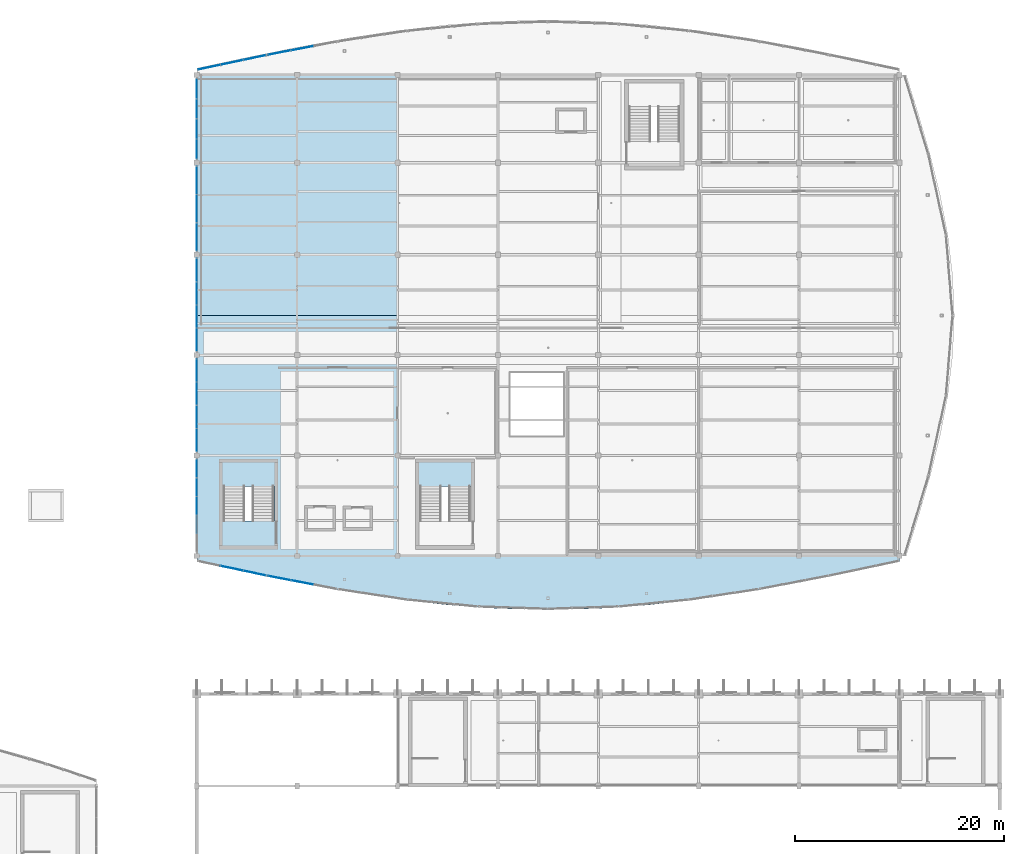
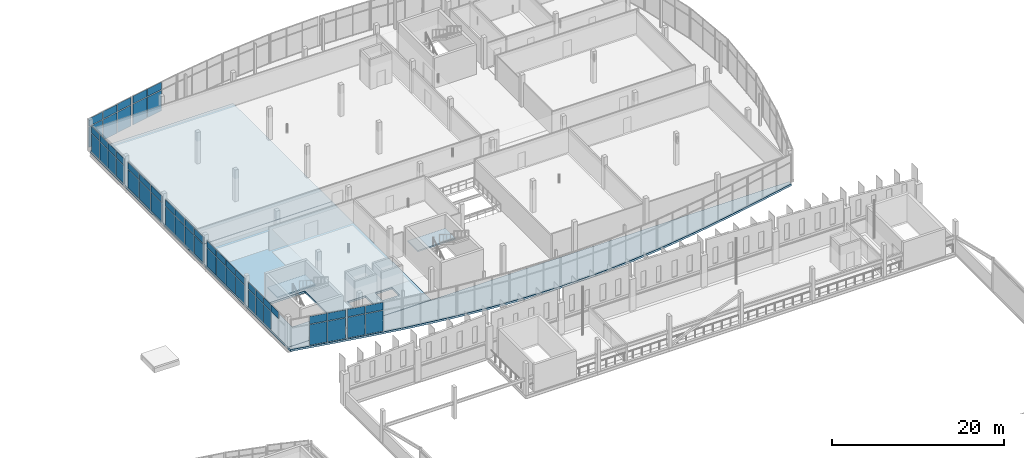
# One storey, part 85 of 114: 55 plates, 5 slabs, 11 elements without a shape of their own.
"""IFC4 building model written with IfcOpenShell, lengths in metres."""

from ifc_helpers import new_model, si_unit, direction, frame, origin, origin_2d, place, context, subcontext, project, spatial, polyline, rectangle, outline, extrude, material, layer, layer_set, type_object, element, aggregate, save


model = new_model("IFC4")

# Units and contexts
model_context = context("Model", 3, precision=1e-05, world=origin(), true_north=direction((0.0, 1.0)))
body_context = subcontext(model_context, "Body", "Model", "MODEL_VIEW")
ifc_project = project(units=[si_unit("LENGTHUNIT", "METRE"), si_unit("AREAUNIT", "SQUARE_METRE"), si_unit("VOLUMEUNIT", "CUBIC_METRE"), si_unit("PLANEANGLEUNIT", "RADIAN"), si_unit("MASSUNIT", "GRAM", prefix="KILO")], contexts=[model_context])

# Site, building, storey
site_placement = place(None, origin())
site = spatial("IfcSite", under=ifc_project, at=site_placement, CompositionType="ELEMENT")
building_placement = place(site_placement, origin())
building = spatial("IfcBuilding", under=site, at=building_placement, Name="Chalmorin Arch Market", CompositionType="ELEMENT")
storey_placement = place(building_placement, frame((0.0, 0.0, 9.60009765625)))
storey = spatial("IfcBuildingStorey", under=building, at=storey_placement, Name="L02", CompositionType="ELEMENT", Elevation=9.60009765625)

# Curtain wall, plates
ifc_material_1 = material(Name="Aluminium 6063-T6", Category="aluminium")
ifc_layer_1 = layer(ifc_material_1, 0.159912109375)
ifc_layer_set_1 = layer_set([ifc_layer_1], Name="Aluminium 6063-T6")
curtain_wall_type_1 = type_object("IfcCurtainWallType", Name="CulinaryStudioCurtainWall-CW3-8880x3750", PredefinedType="NOTDEFINED", material=ifc_layer_set_1)
curtain_wall_1_placement = place(storey_placement, origin())
curtain_wall_1 = element("IfcCurtainWall", 1, at=curtain_wall_1_placement, inside=storey, type_object=curtain_wall_type_1, Name="CW-03-108", PredefinedType="NOTDEFINED")
ifc_material_2 = material(Name="Powder-coated Aluminium Panel", Category="aluminium")
ifc_layer_2 = layer(ifc_material_2, 0.0400390625)
ifc_layer_set_2 = layer_set([ifc_layer_2], Name="Powder-coated Aluminium Panel")
plate_type_1 = type_object("IfcPlateType", Name="ShadowboxSpandrelPanel-40", PredefinedType="CURTAIN_PANEL", material=ifc_layer_set_2)
plate_1_placement = place(storey_placement, frame((48.0, 75.02392578125, 2.7421875), z_axis=(0.0, 0.0, 1.0), x_axis=(0.0, 1.0, 0.0)))
plate_1 = element("IfcPlate", 2, at=plate_1_placement, type_object=plate_type_1, Name="SP-40-108-02B", PredefinedType="CURTAIN_PANEL", context=body_context, shape_type="SweptSolid", body=[
    extrude(rectangle(XDim=1.696044921875, YDim=0.0400390625, at=origin_2d()), origin(), (0.0, 0.0, 1.0), 0.933837890625),
])
plate_2_placement = place(storey_placement, frame((48.0, 76.800048828125, 2.7421875), z_axis=(0.0, 0.0, 1.0), x_axis=(0.0, 1.0, 0.0)))
plate_2 = element("IfcPlate", 3, at=plate_2_placement, type_object=plate_type_1, Name="SP-40-108-03B", PredefinedType="CURTAIN_PANEL", context=body_context, shape_type="SweptSolid", body=[
    extrude(rectangle(XDim=1.696044921875, YDim=0.0400390625, at=origin_2d()), origin(), (0.0, 0.0, 1.0), 0.933837890625),
])
plate_3_placement = place(storey_placement, frame((48.0, 78.575927734375, 2.7421875), z_axis=(0.0, 0.0, 1.0), x_axis=(0.0, 1.0, 0.0)))
plate_3 = element("IfcPlate", 4, at=plate_3_placement, type_object=plate_type_1, Name="SP-40-108-04B", PredefinedType="CURTAIN_PANEL", context=body_context, shape_type="SweptSolid", body=[
    extrude(rectangle(XDim=1.696044921875, YDim=0.0400390625, at=origin_2d()), origin(), (0.0, 0.0, 1.0), 0.933837890625),
])
plate_4_placement = place(storey_placement, frame((48.0, 80.35205078125, 2.7421875), z_axis=(0.0, 0.0, 1.0), x_axis=(0.0, 1.0, 0.0)))
plate_4 = element("IfcPlate", 5, at=plate_4_placement, type_object=plate_type_1, Name="SP-40-108-05B", PredefinedType="CURTAIN_PANEL", context=body_context, shape_type="SweptSolid", body=[
    extrude(rectangle(XDim=1.696044921875, YDim=0.0400390625, at=origin_2d()), origin(), (0.0, 0.0, 1.0), 0.933837890625),
])

ifc_layer_3 = layer(ifc_material_1, 0.159912109375)
ifc_layer_set_3 = layer_set([ifc_layer_3], Name="Aluminium 6063-T6")
curtain_wall_type_2 = type_object("IfcCurtainWallType", Name="CulinaryStudioCurtainWall-CW3-8880x3790", PredefinedType="NOTDEFINED", material=ifc_layer_set_3)
curtain_wall_2_placement = place(storey_placement, origin())
curtain_wall_2 = element("IfcCurtainWall", 6, at=curtain_wall_2_placement, inside=storey, type_object=curtain_wall_type_2, Name="CW-03-111", PredefinedType="NOTDEFINED")
plate_5_placement = place(storey_placement, frame((48.0, 83.070068359375, 2.77099609375), z_axis=(0.0, 0.0, 1.0), x_axis=(0.0, 1.0, 0.0)))
plate_5 = element("IfcPlate", 7, at=plate_5_placement, type_object=plate_type_1, Name="SP-40-111-01B", PredefinedType="CURTAIN_PANEL", context=body_context, shape_type="SweptSolid", body=[
    extrude(rectangle(XDim=2.139892578125, YDim=0.0400390625, at=origin_2d()), origin(), (0.0, 0.0, 1.0), 0.945068359375),
])
plate_6_placement = place(storey_placement, frame((48.0, 85.2900390625, 2.77099609375), z_axis=(0.0, 0.0, 1.0), x_axis=(0.0, 1.0, 0.0)))
plate_6 = element("IfcPlate", 8, at=plate_6_placement, type_object=plate_type_1, Name="SP-40-111-02B", PredefinedType="CURTAIN_PANEL", context=body_context, shape_type="SweptSolid", body=[
    extrude(rectangle(XDim=2.139892578125, YDim=0.0400390625, at=origin_2d()), origin(), (0.0, 0.0, 1.0), 0.945068359375),
])
plate_7_placement = place(storey_placement, frame((48.0, 87.510009765625, 2.77099609375), z_axis=(0.0, 0.0, 1.0), x_axis=(0.0, 1.0, 0.0)))
plate_7 = element("IfcPlate", 9, at=plate_7_placement, type_object=plate_type_1, Name="SP-40-111-03B", PredefinedType="CURTAIN_PANEL", context=body_context, shape_type="SweptSolid", body=[
    extrude(rectangle(XDim=2.139892578125, YDim=0.0400390625, at=origin_2d()), origin(), (0.0, 0.0, 1.0), 0.945068359375),
])
plate_8_placement = place(storey_placement, frame((48.0, 89.72998046875, 2.77099609375), z_axis=(0.0, 0.0, 1.0), x_axis=(0.0, 1.0, 0.0)))
plate_8 = element("IfcPlate", 10, at=plate_8_placement, type_object=plate_type_1, Name="SP-40-111-04B", PredefinedType="CURTAIN_PANEL", context=body_context, shape_type="SweptSolid", body=[
    extrude(rectangle(XDim=2.139892578125, YDim=0.0400390625, at=origin_2d()), origin(), (0.0, 0.0, 1.0), 0.945068359375),
])

curtain_wall_3_placement = place(storey_placement, origin())
curtain_wall_3 = element("IfcCurtainWall", 11, at=curtain_wall_3_placement, inside=storey, type_object=curtain_wall_type_2, Name="CW-03-113", PredefinedType="NOTDEFINED")
plate_9_placement = place(storey_placement, frame((48.0, 92.669921875, 2.77099609375), z_axis=(0.0, 0.0, 1.0), x_axis=(0.0, 1.0, 0.0)))
plate_9 = element("IfcPlate", 12, at=plate_9_placement, type_object=plate_type_1, Name="SP-40-113-01B", PredefinedType="CURTAIN_PANEL", context=body_context, shape_type="SweptSolid", body=[
    extrude(rectangle(XDim=2.139892578125, YDim=0.0400390625, at=origin_2d()), origin(), (0.0, 0.0, 1.0), 0.945068359375),
])
plate_10_placement = place(storey_placement, frame((48.0, 94.889892578125, 2.77099609375), z_axis=(0.0, 0.0, 1.0), x_axis=(0.0, 1.0, 0.0)))
plate_10 = element("IfcPlate", 13, at=plate_10_placement, type_object=plate_type_1, Name="SP-40-113-02B", PredefinedType="CURTAIN_PANEL", context=body_context, shape_type="SweptSolid", body=[
    extrude(rectangle(XDim=2.139892578125, YDim=0.0400390625, at=origin_2d()), origin(), (0.0, 0.0, 1.0), 0.945068359375),
])
plate_11_placement = place(storey_placement, frame((48.0, 97.110107421875, 2.77099609375), z_axis=(0.0, 0.0, 1.0), x_axis=(0.0, 1.0, 0.0)))
plate_11 = element("IfcPlate", 14, at=plate_11_placement, type_object=plate_type_1, Name="SP-40-113-03B", PredefinedType="CURTAIN_PANEL", context=body_context, shape_type="SweptSolid", body=[
    extrude(rectangle(XDim=2.139892578125, YDim=0.0400390625, at=origin_2d()), origin(), (0.0, 0.0, 1.0), 0.945068359375),
])
plate_12_placement = place(storey_placement, frame((48.0, 99.330078125, 2.77099609375), z_axis=(0.0, 0.0, 1.0), x_axis=(0.0, 1.0, 0.0)))
plate_12 = element("IfcPlate", 15, at=plate_12_placement, type_object=plate_type_1, Name="SP-40-113-04B", PredefinedType="CURTAIN_PANEL", context=body_context, shape_type="SweptSolid", body=[
    extrude(rectangle(XDim=2.139892578125, YDim=0.0400390625, at=origin_2d()), origin(), (0.0, 0.0, 1.0), 0.945068359375),
])

ifc_layer_4 = layer(ifc_material_1, 0.159912109375)
ifc_layer_set_4 = layer_set([ifc_layer_4], Name="Aluminium 6063-T6")
curtain_wall_type_3 = type_object("IfcCurtainWallType", Name="CulinaryStudioCurtainWall-CW3-8080x3790", PredefinedType="NOTDEFINED", material=ifc_layer_set_4)
curtain_wall_4_placement = place(storey_placement, origin())
curtain_wall_4 = element("IfcCurtainWall", 16, at=curtain_wall_4_placement, inside=storey, type_object=curtain_wall_type_3, Name="CW-03-116", PredefinedType="NOTDEFINED")
plate_13_placement = place(storey_placement, frame((48.0, 102.506591796875, 2.77099609375), z_axis=(0.0, 0.0, 1.0), x_axis=(0.0, 1.0, 0.0)))
plate_13 = element("IfcPlate", 17, at=plate_13_placement, type_object=plate_type_1, Name="SP-40-116-01B", PredefinedType="CURTAIN_PANEL", context=body_context, shape_type="SweptSolid", body=[
    extrude(rectangle(XDim=2.61328125, YDim=0.0400390625, at=origin_2d()), origin(), (0.0, 0.0, 1.0), 0.945068359375),
])
plate_14_placement = place(storey_placement, frame((48.0, 105.199951171875, 2.77099609375), z_axis=(0.0, 0.0, 1.0), x_axis=(0.0, 1.0, 0.0)))
plate_14 = element("IfcPlate", 18, at=plate_14_placement, type_object=plate_type_1, Name="SP-40-116-02B", PredefinedType="CURTAIN_PANEL", context=body_context, shape_type="SweptSolid", body=[
    extrude(rectangle(XDim=2.61328125, YDim=0.0400390625, at=origin_2d()), origin(), (0.0, 0.0, 1.0), 0.945068359375),
])
plate_15_placement = place(storey_placement, frame((48.0, 107.893310546875, 2.77099609375), z_axis=(0.0, 0.0, 1.0), x_axis=(0.0, 1.0, 0.0)))
plate_15 = element("IfcPlate", 19, at=plate_15_placement, type_object=plate_type_1, Name="SP-40-116-03B", PredefinedType="CURTAIN_PANEL", context=body_context, shape_type="SweptSolid", body=[
    extrude(rectangle(XDim=2.61328125, YDim=0.0400390625, at=origin_2d()), origin(), (0.0, 0.0, 1.0), 0.945068359375),
])

ifc_layer_5 = layer(ifc_material_1, 0.159912109375)
ifc_layer_set_5 = layer_set([ifc_layer_5], Name="Aluminium 6063-T6")
curtain_wall_type_4 = type_object("IfcCurtainWallType", Name="CulinaryStudioCurtainWall-CW3-7680x3750", PredefinedType="NOTDEFINED", material=ifc_layer_set_5)
curtain_wall_5_placement = place(storey_placement, origin())
curtain_wall_5 = element("IfcCurtainWall", 20, at=curtain_wall_5_placement, inside=storey, type_object=curtain_wall_type_4, Name="CW-03-119", PredefinedType="NOTDEFINED")
plate_16_placement = place(storey_placement, frame((48.0, 110.919921875, 2.7421875), z_axis=(0.0, 0.0, 1.0), x_axis=(0.0, 1.0, 0.0)))
plate_16 = element("IfcPlate", 21, at=plate_16_placement, type_object=plate_type_1, Name="SP-40-119-01B", PredefinedType="CURTAIN_PANEL", context=body_context, shape_type="SweptSolid", body=[
    extrude(rectangle(XDim=1.840087890625, YDim=0.0400390625, at=origin_2d()), origin(), (0.0, 0.0, 1.0), 0.933837890625),
])
plate_17_placement = place(storey_placement, frame((48.0, 112.840087890625, 2.7421875), z_axis=(0.0, 0.0, 1.0), x_axis=(0.0, 1.0, 0.0)))
plate_17 = element("IfcPlate", 22, at=plate_17_placement, type_object=plate_type_1, Name="SP-40-119-02B", PredefinedType="CURTAIN_PANEL", context=body_context, shape_type="SweptSolid", body=[
    extrude(rectangle(XDim=1.840087890625, YDim=0.0400390625, at=origin_2d()), origin(), (0.0, 0.0, 1.0), 0.933837890625),
])
plate_18_placement = place(storey_placement, frame((48.0, 114.760009765625, 2.7421875), z_axis=(0.0, 0.0, 1.0), x_axis=(0.0, 1.0, 0.0)))
plate_18 = element("IfcPlate", 23, at=plate_18_placement, type_object=plate_type_1, Name="SP-40-119-03B", PredefinedType="CURTAIN_PANEL", context=body_context, shape_type="SweptSolid", body=[
    extrude(rectangle(XDim=1.840087890625, YDim=0.0400390625, at=origin_2d()), origin(), (0.0, 0.0, 1.0), 0.933837890625),
])
plate_19_placement = place(storey_placement, frame((48.0, 116.679931640625, 2.7421875), z_axis=(0.0, 0.0, 1.0), x_axis=(0.0, 1.0, 0.0)))
plate_19 = element("IfcPlate", 24, at=plate_19_placement, type_object=plate_type_1, Name="SP-40-119-04B", PredefinedType="CURTAIN_PANEL", context=body_context, shape_type="SweptSolid", body=[
    extrude(rectangle(XDim=1.840087890625, YDim=0.0400390625, at=origin_2d()), origin(), (0.0, 0.0, 1.0), 0.933837890625),
])

ifc_layer_6 = layer(ifc_material_1, 0.159912109375)
ifc_layer_set_6 = layer_set([ifc_layer_6], Name="Aluminium 6063-T6")
curtain_wall_type_5 = type_object("IfcCurtainWallType", Name="CulinaryStudioCurtainWall-CW3-6690x4220", PredefinedType="NOTDEFINED", material=ifc_layer_set_6)
curtain_wall_6_placement = place(storey_placement, origin())
curtain_wall_6 = element("IfcCurtainWall", 25, at=curtain_wall_6_placement, inside=storey, type_object=curtain_wall_type_5, Name="CW-03-122", PredefinedType="NOTDEFINED")
plate_20_placement = place(storey_placement, frame((49.1787109375, 118.729248046875, 3.08349609375), z_axis=(0.0, 0.0, 1.0), x_axis=(0.978147600734, 0.207911690818, 0.0)))
plate_20 = element("IfcPlate", 26, at=plate_20_placement, type_object=plate_type_1, Name="SP-40-122-01B", PredefinedType="CURTAIN_PANEL", context=body_context, shape_type="SweptSolid", body=[
    extrude(rectangle(XDim=2.1494140625, YDim=0.0400390625, at=origin_2d()), origin(), (0.0, 0.0, 1.0), 1.066650390625),
])
plate_21_placement = place(storey_placement, frame((51.360107421875, 119.1904296875, 3.08349609375), z_axis=(0.0, 0.0, 1.0), x_axis=(0.978147600734, 0.207911690818, 0.0)))
plate_21 = element("IfcPlate", 27, at=plate_21_placement, type_object=plate_type_1, Name="SP-40-122-02B", PredefinedType="CURTAIN_PANEL", context=body_context, shape_type="SweptSolid", body=[
    extrude(rectangle(XDim=2.1494140625, YDim=0.0400390625, at=origin_2d()), origin(), (0.0, 0.0, 1.0), 1.066650390625),
])
plate_22_placement = place(storey_placement, frame((53.541259765625, 119.65185546875, 3.08349609375), z_axis=(0.0, 0.0, 1.0), x_axis=(0.978147600734, 0.207911690818, 0.0)))
plate_22 = element("IfcPlate", 28, at=plate_22_placement, type_object=plate_type_1, Name="SP-40-122-03B", PredefinedType="CURTAIN_PANEL", context=body_context, shape_type="SweptSolid", body=[
    extrude(rectangle(XDim=2.1494140625, YDim=0.0400390625, at=origin_2d()), origin(), (0.0, 0.0, 1.0), 1.066650390625),
])

ifc_layer_7 = layer(ifc_material_1, 0.159912109375)
ifc_layer_set_7 = layer_set([ifc_layer_7], Name="Aluminium 6063-T6")
curtain_wall_type_6 = type_object("IfcCurtainWallType", Name="CulinaryStudioCurtainWall-CW3-6660x4220", PredefinedType="NOTDEFINED", material=ifc_layer_set_7)
curtain_wall_7_placement = place(storey_placement, origin())
curtain_wall_7 = element("IfcCurtainWall", 29, at=curtain_wall_7_placement, inside=storey, type_object=curtain_wall_type_6, Name="CW-03-125", PredefinedType="NOTDEFINED")
plate_23_placement = place(storey_placement, frame((55.89892578125, 120.126220703125, 3.08349609375), z_axis=(0.0, 0.0, 1.0), x_axis=(0.981627183448, 0.190808995377, 0.0)))
plate_23 = element("IfcPlate", 30, at=plate_23_placement, type_object=plate_type_1, Name="SP-40-125-01B", PredefinedType="CURTAIN_PANEL", context=body_context, shape_type="SweptSolid", body=[
    extrude(rectangle(XDim=2.140380859375, YDim=0.0400390625, at=origin_2d()), origin(), (0.0, 0.0, 1.0), 1.066650390625),
])
plate_24_placement = place(storey_placement, frame((58.080078125, 120.54248046875, 3.08349609375), z_axis=(0.0, 0.0, 1.0), x_axis=(0.981627183448, 0.190808995377, 0.0)))
plate_24 = element("IfcPlate", 31, at=plate_24_placement, type_object=plate_type_1, Name="SP-40-125-02B", PredefinedType="CURTAIN_PANEL", context=body_context, shape_type="SweptSolid", body=[
    extrude(rectangle(XDim=2.140380859375, YDim=0.0400390625, at=origin_2d()), origin(), (0.0, 0.0, 1.0), 1.066650390625),
])

curtain_wall_8_placement = place(storey_placement, origin())
curtain_wall_8 = element("IfcCurtainWall", 32, at=curtain_wall_8_placement, inside=storey, type_object=curtain_wall_type_5, Name="CW-03-151", PredefinedType="NOTDEFINED")
plate_25_placement = place(storey_placement, frame((51.360107421875, 70.8095703125, 3.08349609375), z_axis=(0.0, 0.0, 1.0), x_axis=(0.978147600734, -0.207911690818, 0.0)))
plate_25 = element("IfcPlate", 33, at=plate_25_placement, type_object=plate_type_1, Name="SP-40-151-02B", PredefinedType="CURTAIN_PANEL", context=body_context, shape_type="SweptSolid", body=[
    extrude(rectangle(XDim=2.1494140625, YDim=0.0400390625, at=origin_2d()), origin(), (0.0, 0.0, 1.0), 1.066650390625),
])
plate_26_placement = place(storey_placement, frame((53.541259765625, 70.34814453125, 3.08349609375), z_axis=(0.0, 0.0, 1.0), x_axis=(0.978147600734, -0.207911690818, 0.0)))
plate_26 = element("IfcPlate", 34, at=plate_26_placement, type_object=plate_type_1, Name="SP-40-151-03B", PredefinedType="CURTAIN_PANEL", context=body_context, shape_type="SweptSolid", body=[
    extrude(rectangle(XDim=2.1494140625, YDim=0.0400390625, at=origin_2d()), origin(), (0.0, 0.0, 1.0), 1.066650390625),
])

curtain_wall_9_placement = place(storey_placement, origin())
curtain_wall_9 = element("IfcCurtainWall", 35, at=curtain_wall_9_placement, inside=storey, type_object=curtain_wall_type_6, Name="CW-03-154", PredefinedType="NOTDEFINED")
plate_27_placement = place(storey_placement, frame((55.89892578125, 69.873779296875, 3.08349609375), z_axis=(0.0, 0.0, 1.0), x_axis=(0.981627183448, -0.190808995377, 0.0)))
plate_27 = element("IfcPlate", 36, at=plate_27_placement, type_object=plate_type_1, Name="SP-40-154-01B", PredefinedType="CURTAIN_PANEL", context=body_context, shape_type="SweptSolid", body=[
    extrude(rectangle(XDim=2.140380859375, YDim=0.0400390625, at=origin_2d()), origin(), (0.0, 0.0, 1.0), 1.066650390625),
])
plate_28_placement = place(storey_placement, frame((58.080078125, 69.45751953125, 3.08349609375), z_axis=(0.0, 0.0, 1.0), x_axis=(0.981627183448, -0.190808995377, 0.0)))
plate_28 = element("IfcPlate", 37, at=plate_28_placement, type_object=plate_type_1, Name="SP-40-154-02B", PredefinedType="CURTAIN_PANEL", context=body_context, shape_type="SweptSolid", body=[
    extrude(rectangle(XDim=2.140380859375, YDim=0.0400390625, at=origin_2d()), origin(), (0.0, 0.0, 1.0), 1.066650390625),
])

# Stair, slab
ifc_material_3 = material(Name="Concrete C40/50", Category="concrete")
stair_type_1 = type_object("IfcStairType", Name="DoglegExitStair-26R-SC5", PredefinedType="HALF_TURN_STAIR", material=ifc_material_3)
stair_1_placement = place(storey_placement, origin())
stair_1 = element("IfcStair", 38, at=stair_1_placement, inside=storey, type_object=stair_type_1, Name="ST-14", PredefinedType="HALF_TURN_STAIR")
ifc_layer_8 = layer(ifc_material_3, 0.18505859375)
ifc_layer_set_8 = layer_set([ifc_layer_8], Name="Concrete C40/50")
slab_type_1 = type_object("IfcSlabType", Name="StairLandingSlab-185", PredefinedType="LANDING", material=ifc_layer_set_8)
slab_1_placement = place(storey_placement, frame((0.0, 0.0, 2.06494140625)))
slab_1 = element("IfcSlab", 39, at=slab_1_placement, type_object=slab_type_1, Name="LS-014", PredefinedType="LANDING", context=body_context, shape_type="SweptSolid", body=[
    extrude(outline(polyline([(50.419921875, 78.6298828125), (55.47998046875, 78.6298828125), (55.47998046875, 80.97998046875), (50.419921875, 80.97998046875), (50.419921875, 78.6298828125)])), origin(), (0.0, 0.0, 1.0), 0.18505859375),
])
aggregate(stair_1, [slab_1])

stair_type_2 = type_object("IfcStairType", Name="DoglegExitStair-26R-SC7", PredefinedType="HALF_TURN_STAIR", material=ifc_material_3)
stair_2_placement = place(storey_placement, origin())
stair_2 = element("IfcStair", 40, at=stair_2_placement, inside=storey, type_object=stair_type_2, Name="ST-22", PredefinedType="HALF_TURN_STAIR")
slab_2_placement = place(storey_placement, frame((0.0, 0.0, 2.06494140625)))
slab_2 = element("IfcSlab", 41, at=slab_2_placement, type_object=slab_type_1, Name="LS-022", PredefinedType="LANDING", context=body_context, shape_type="SweptSolid", body=[
    extrude(outline(polyline([(69.219970703125, 78.6298828125), (74.280029296875, 78.6298828125), (74.280029296875, 80.97998046875), (69.219970703125, 80.97998046875), (69.219970703125, 78.6298828125)])), origin(), (0.0, 0.0, 1.0), 0.18505859375),
])
aggregate(stair_2, [slab_2])

# Slabs
ifc_layer_9 = layer(ifc_material_3, 0.280029296875)
ifc_layer_set_9 = layer_set([ifc_layer_9], Name="Concrete C40/50")
slab_type_2 = type_object("IfcSlabType", Name="SuspendedFloorSlab-280", PredefinedType="FLOOR", material=ifc_layer_set_9)
slab_3_placement = place(storey_placement, frame((0.0, 0.0, -0.280029296875)))
element("IfcSlab", 42, at=slab_3_placement, inside=storey, type_object=slab_type_2, Name="FS-280-114", PredefinedType="FLOOR", context=body_context, shape_type="SweptSolid", body=[
    extrude(outline(polyline([(48.010009765625, 72.0), (67.18994140625, 72.0), (67.18994140625, 94.989990234375), (48.010009765625, 94.989990234375), (48.010009765625, 72.0)]), holes=[polyline([(50.5, 75.35009765625), (55.39990234375, 75.35009765625), (55.39990234375, 80.89990234375), (50.5, 80.89990234375), (50.5, 75.35009765625)]), polyline([(58.60009765625, 74.64990234375), (61.0, 74.64990234375), (61.0, 76.550048828125), (58.60009765625, 76.550048828125), (58.60009765625, 74.64990234375)]), polyline([(62.25, 74.72509765625), (64.550048828125, 74.72509765625), (64.550048828125, 76.47509765625), (62.25, 76.47509765625), (62.25, 74.72509765625)])]), origin(), (0.0, 0.0, 1.0), 0.280029296875),
])
slab_4_placement = place(storey_placement, frame((0.0, 0.0, -0.280029296875)))
element("IfcSlab", 43, at=slab_4_placement, inside=storey, type_object=slab_type_2, Name="FS-280-115", PredefinedType="FLOOR", context=body_context, shape_type="SweptSolid", body=[
    extrude(outline(polyline([(48.010009765625, 95.010009765625), (67.18994140625, 95.010009765625), (67.18994140625, 118.0), (48.010009765625, 118.0), (48.010009765625, 95.010009765625)])), origin(), (0.0, 0.0, 1.0), 0.280029296875),
])
slab_5_placement = place(storey_placement, frame((0.0, 0.0, -0.280029296875)))
element("IfcSlab", 44, at=slab_5_placement, inside=storey, type_object=slab_type_2, Name="FS-280-138", PredefinedType="FLOOR", context=body_context, shape_type="SweptSolid", body=[
    extrude(outline(polyline([(48.0, 71.97998046875), (115.199951171875, 71.97998046875), (115.199951171875, 71.449951171875), (110.39990234375, 70.426025390625), (105.60009765625, 69.4541015625), (100.800048828125, 68.58203125), (96.0, 67.85400390625), (91.199951171875, 67.305908203125), (86.39990234375, 66.965087890625), (81.60009765625, 66.85009765625), (76.800048828125, 66.965087890625), (72.0, 67.305908203125), (67.199951171875, 67.85400390625), (62.39990234375, 68.58203125), (57.60009765625, 69.4541015625), (52.800048828125, 70.426025390625), (48.0, 71.449951171875), (48.0, 71.97998046875)])), origin(), (0.0, 0.0, 1.0), 0.280029296875),
])

# Plate
ifc_material_4 = material(Name="Low-E Tempered Glass", Category="glass")
ifc_layer_10 = layer(ifc_material_4, 0.028076171875)
ifc_layer_set_10 = layer_set([ifc_layer_10], Name="Low-E Tempered Glass")
plate_type_2 = type_object("IfcPlateType", Name="VisionIGUPanel-28", PredefinedType="CURTAIN_PANEL", material=ifc_layer_set_10)
plate_29_placement = place(storey_placement, frame((48.0, 76.800048828125, 0.070068359375), z_axis=(0.0, 0.0, 1.0), x_axis=(0.0, 1.0, 0.0)))
plate_29 = element("IfcPlate", 45, at=plate_29_placement, type_object=plate_type_2, Name="GL-28-108-03A", PredefinedType="CURTAIN_PANEL", context=body_context, shape_type="SweptSolid", body=[
    extrude(rectangle(XDim=1.696044921875, YDim=0.028076171875, at=origin_2d()), origin(), (0.0, 0.0, 1.0), 2.58203125),
])

plate_30_placement = place(storey_placement, frame((48.0, 78.575927734375, 0.070068359375), z_axis=(0.0, 0.0, 1.0), x_axis=(0.0, 1.0, 0.0)))
plate_30 = element("IfcPlate", 46, at=plate_30_placement, type_object=plate_type_2, Name="GL-28-108-04A", PredefinedType="CURTAIN_PANEL", context=body_context, shape_type="SweptSolid", body=[
    extrude(rectangle(XDim=1.696044921875, YDim=0.028076171875, at=origin_2d()), origin(), (0.0, 0.0, 1.0), 2.58203125),
])

plate_31_placement = place(storey_placement, frame((48.0, 80.35205078125, 0.070068359375), z_axis=(0.0, 0.0, 1.0), x_axis=(0.0, 1.0, 0.0)))
plate_31 = element("IfcPlate", 47, at=plate_31_placement, type_object=plate_type_2, Name="GL-28-108-05A", PredefinedType="CURTAIN_PANEL", context=body_context, shape_type="SweptSolid", body=[
    extrude(rectangle(XDim=1.696044921875, YDim=0.028076171875, at=origin_2d()), origin(), (0.0, 0.0, 1.0), 2.58203125),
])

aggregate(curtain_wall_1, [plate_1, plate_29, plate_2, plate_30, plate_3, plate_31, plate_4])

plate_32_placement = place(storey_placement, frame((48.0, 83.070068359375, 0.070068359375), z_axis=(0.0, 0.0, 1.0), x_axis=(0.0, 1.0, 0.0)))
plate_32 = element("IfcPlate", 48, at=plate_32_placement, type_object=plate_type_2, Name="GL-28-111-01A", PredefinedType="CURTAIN_PANEL", context=body_context, shape_type="SweptSolid", body=[
    extrude(rectangle(XDim=2.139892578125, YDim=0.028076171875, at=origin_2d()), origin(), (0.0, 0.0, 1.0), 2.61083984375),
])

plate_33_placement = place(storey_placement, frame((48.0, 85.2900390625, 0.070068359375), z_axis=(0.0, 0.0, 1.0), x_axis=(0.0, 1.0, 0.0)))
plate_33 = element("IfcPlate", 49, at=plate_33_placement, type_object=plate_type_2, Name="GL-28-111-02A", PredefinedType="CURTAIN_PANEL", context=body_context, shape_type="SweptSolid", body=[
    extrude(rectangle(XDim=2.139892578125, YDim=0.028076171875, at=origin_2d()), origin(), (0.0, 0.0, 1.0), 2.61083984375),
])

plate_34_placement = place(storey_placement, frame((48.0, 87.510009765625, 0.070068359375), z_axis=(0.0, 0.0, 1.0), x_axis=(0.0, 1.0, 0.0)))
plate_34 = element("IfcPlate", 50, at=plate_34_placement, type_object=plate_type_2, Name="GL-28-111-03A", PredefinedType="CURTAIN_PANEL", context=body_context, shape_type="SweptSolid", body=[
    extrude(rectangle(XDim=2.139892578125, YDim=0.028076171875, at=origin_2d()), origin(), (0.0, 0.0, 1.0), 2.61083984375),
])

plate_35_placement = place(storey_placement, frame((48.0, 89.72998046875, 0.070068359375), z_axis=(0.0, 0.0, 1.0), x_axis=(0.0, 1.0, 0.0)))
plate_35 = element("IfcPlate", 51, at=plate_35_placement, type_object=plate_type_2, Name="GL-28-111-04A", PredefinedType="CURTAIN_PANEL", context=body_context, shape_type="SweptSolid", body=[
    extrude(rectangle(XDim=2.139892578125, YDim=0.028076171875, at=origin_2d()), origin(), (0.0, 0.0, 1.0), 2.61083984375),
])

aggregate(curtain_wall_2, [plate_32, plate_5, plate_33, plate_6, plate_34, plate_7, plate_35, plate_8])

plate_36_placement = place(storey_placement, frame((48.0, 92.669921875, 0.070068359375), z_axis=(0.0, 0.0, 1.0), x_axis=(0.0, 1.0, 0.0)))
plate_36 = element("IfcPlate", 52, at=plate_36_placement, type_object=plate_type_2, Name="GL-28-113-01A", PredefinedType="CURTAIN_PANEL", context=body_context, shape_type="SweptSolid", body=[
    extrude(rectangle(XDim=2.139892578125, YDim=0.028076171875, at=origin_2d()), origin(), (0.0, 0.0, 1.0), 2.61083984375),
])

plate_37_placement = place(storey_placement, frame((48.0, 94.889892578125, 0.070068359375), z_axis=(0.0, 0.0, 1.0), x_axis=(0.0, 1.0, 0.0)))
plate_37 = element("IfcPlate", 53, at=plate_37_placement, type_object=plate_type_2, Name="GL-28-113-02A", PredefinedType="CURTAIN_PANEL", context=body_context, shape_type="SweptSolid", body=[
    extrude(rectangle(XDim=2.139892578125, YDim=0.028076171875, at=origin_2d()), origin(), (0.0, 0.0, 1.0), 2.61083984375),
])

plate_38_placement = place(storey_placement, frame((48.0, 97.110107421875, 0.070068359375), z_axis=(0.0, 0.0, 1.0), x_axis=(0.0, 1.0, 0.0)))
plate_38 = element("IfcPlate", 54, at=plate_38_placement, type_object=plate_type_2, Name="GL-28-113-03A", PredefinedType="CURTAIN_PANEL", context=body_context, shape_type="SweptSolid", body=[
    extrude(rectangle(XDim=2.139892578125, YDim=0.028076171875, at=origin_2d()), origin(), (0.0, 0.0, 1.0), 2.61083984375),
])

plate_39_placement = place(storey_placement, frame((48.0, 99.330078125, 0.070068359375), z_axis=(0.0, 0.0, 1.0), x_axis=(0.0, 1.0, 0.0)))
plate_39 = element("IfcPlate", 55, at=plate_39_placement, type_object=plate_type_2, Name="GL-28-113-04A", PredefinedType="CURTAIN_PANEL", context=body_context, shape_type="SweptSolid", body=[
    extrude(rectangle(XDim=2.139892578125, YDim=0.028076171875, at=origin_2d()), origin(), (0.0, 0.0, 1.0), 2.61083984375),
])

aggregate(curtain_wall_3, [plate_36, plate_9, plate_37, plate_10, plate_38, plate_11, plate_39, plate_12])

plate_40_placement = place(storey_placement, frame((48.0, 102.506591796875, 0.070068359375), z_axis=(0.0, 0.0, 1.0), x_axis=(0.0, 1.0, 0.0)))
plate_40 = element("IfcPlate", 56, at=plate_40_placement, type_object=plate_type_2, Name="GL-28-116-01A", PredefinedType="CURTAIN_PANEL", context=body_context, shape_type="SweptSolid", body=[
    extrude(rectangle(XDim=2.61328125, YDim=0.028076171875, at=origin_2d()), origin(), (0.0, 0.0, 1.0), 2.61083984375),
])

plate_41_placement = place(storey_placement, frame((48.0, 105.199951171875, 0.070068359375), z_axis=(0.0, 0.0, 1.0), x_axis=(0.0, 1.0, 0.0)))
plate_41 = element("IfcPlate", 57, at=plate_41_placement, type_object=plate_type_2, Name="GL-28-116-02A", PredefinedType="CURTAIN_PANEL", context=body_context, shape_type="SweptSolid", body=[
    extrude(rectangle(XDim=2.61328125, YDim=0.028076171875, at=origin_2d()), origin(), (0.0, 0.0, 1.0), 2.61083984375),
])

plate_42_placement = place(storey_placement, frame((48.0, 107.893310546875, 0.070068359375), z_axis=(0.0, 0.0, 1.0), x_axis=(0.0, 1.0, 0.0)))
plate_42 = element("IfcPlate", 58, at=plate_42_placement, type_object=plate_type_2, Name="GL-28-116-03A", PredefinedType="CURTAIN_PANEL", context=body_context, shape_type="SweptSolid", body=[
    extrude(rectangle(XDim=2.61328125, YDim=0.028076171875, at=origin_2d()), origin(), (0.0, 0.0, 1.0), 2.61083984375),
])

aggregate(curtain_wall_4, [plate_40, plate_13, plate_41, plate_14, plate_42, plate_15])

plate_43_placement = place(storey_placement, frame((48.0, 110.919921875, 0.070068359375), z_axis=(0.0, 0.0, 1.0), x_axis=(0.0, 1.0, 0.0)))
plate_43 = element("IfcPlate", 59, at=plate_43_placement, type_object=plate_type_2, Name="GL-28-119-01A", PredefinedType="CURTAIN_PANEL", context=body_context, shape_type="SweptSolid", body=[
    extrude(rectangle(XDim=1.840087890625, YDim=0.028076171875, at=origin_2d()), origin(), (0.0, 0.0, 1.0), 2.58203125),
])

plate_44_placement = place(storey_placement, frame((48.0, 112.840087890625, 0.070068359375), z_axis=(0.0, 0.0, 1.0), x_axis=(0.0, 1.0, 0.0)))
plate_44 = element("IfcPlate", 60, at=plate_44_placement, type_object=plate_type_2, Name="GL-28-119-02A", PredefinedType="CURTAIN_PANEL", context=body_context, shape_type="SweptSolid", body=[
    extrude(rectangle(XDim=1.840087890625, YDim=0.028076171875, at=origin_2d()), origin(), (0.0, 0.0, 1.0), 2.58203125),
])

plate_45_placement = place(storey_placement, frame((48.0, 114.760009765625, 0.070068359375), z_axis=(0.0, 0.0, 1.0), x_axis=(0.0, 1.0, 0.0)))
plate_45 = element("IfcPlate", 61, at=plate_45_placement, type_object=plate_type_2, Name="GL-28-119-03A", PredefinedType="CURTAIN_PANEL", context=body_context, shape_type="SweptSolid", body=[
    extrude(rectangle(XDim=1.840087890625, YDim=0.028076171875, at=origin_2d()), origin(), (0.0, 0.0, 1.0), 2.58203125),
])

plate_46_placement = place(storey_placement, frame((48.0, 116.679931640625, 0.070068359375), z_axis=(0.0, 0.0, 1.0), x_axis=(0.0, 1.0, 0.0)))
plate_46 = element("IfcPlate", 62, at=plate_46_placement, type_object=plate_type_2, Name="GL-28-119-04A", PredefinedType="CURTAIN_PANEL", context=body_context, shape_type="SweptSolid", body=[
    extrude(rectangle(XDim=1.840087890625, YDim=0.028076171875, at=origin_2d()), origin(), (0.0, 0.0, 1.0), 2.58203125),
])

aggregate(curtain_wall_5, [plate_43, plate_16, plate_44, plate_17, plate_45, plate_18, plate_46, plate_19])

plate_47_placement = place(storey_placement, frame((49.1787109375, 118.729248046875, 0.06982421875), z_axis=(0.0, 0.0, 1.0), x_axis=(0.978147600734, 0.207911690818, 0.0)))
plate_47 = element("IfcPlate", 63, at=plate_47_placement, type_object=plate_type_2, Name="GL-28-122-01A", PredefinedType="CURTAIN_PANEL", context=body_context, shape_type="SweptSolid", body=[
    extrude(rectangle(XDim=2.1494140625, YDim=0.028076171875, at=origin_2d()), origin(), (0.0, 0.0, 1.0), 2.92333984375),
])

plate_48_placement = place(storey_placement, frame((51.360107421875, 119.1904296875, 0.06982421875), z_axis=(0.0, 0.0, 1.0), x_axis=(0.978147600734, 0.207911690818, 0.0)))
plate_48 = element("IfcPlate", 64, at=plate_48_placement, type_object=plate_type_2, Name="GL-28-122-02A", PredefinedType="CURTAIN_PANEL", context=body_context, shape_type="SweptSolid", body=[
    extrude(rectangle(XDim=2.1494140625, YDim=0.028076171875, at=origin_2d()), origin(), (0.0, 0.0, 1.0), 2.92333984375),
])

plate_49_placement = place(storey_placement, frame((53.541259765625, 119.65185546875, 0.06982421875), z_axis=(0.0, 0.0, 1.0), x_axis=(0.978147600734, 0.207911690818, 0.0)))
plate_49 = element("IfcPlate", 65, at=plate_49_placement, type_object=plate_type_2, Name="GL-28-122-03A", PredefinedType="CURTAIN_PANEL", context=body_context, shape_type="SweptSolid", body=[
    extrude(rectangle(XDim=2.1494140625, YDim=0.028076171875, at=origin_2d()), origin(), (0.0, 0.0, 1.0), 2.92333984375),
])

aggregate(curtain_wall_6, [plate_47, plate_20, plate_48, plate_21, plate_49, plate_22])

plate_50_placement = place(storey_placement, frame((55.89892578125, 120.126220703125, 0.06982421875), z_axis=(0.0, 0.0, 1.0), x_axis=(0.981627183448, 0.190808995377, 0.0)))
plate_50 = element("IfcPlate", 66, at=plate_50_placement, type_object=plate_type_2, Name="GL-28-125-01A", PredefinedType="CURTAIN_PANEL", context=body_context, shape_type="SweptSolid", body=[
    extrude(rectangle(XDim=2.140380859375, YDim=0.028076171875, at=origin_2d()), origin(), (0.0, 0.0, 1.0), 2.92333984375),
])

plate_51_placement = place(storey_placement, frame((58.080078125, 120.54248046875, 0.06982421875), z_axis=(0.0, 0.0, 1.0), x_axis=(0.981627183448, 0.190808995377, 0.0)))
plate_51 = element("IfcPlate", 67, at=plate_51_placement, type_object=plate_type_2, Name="GL-28-125-02A", PredefinedType="CURTAIN_PANEL", context=body_context, shape_type="SweptSolid", body=[
    extrude(rectangle(XDim=2.140380859375, YDim=0.028076171875, at=origin_2d()), origin(), (0.0, 0.0, 1.0), 2.92333984375),
])

aggregate(curtain_wall_7, [plate_50, plate_23, plate_51, plate_24])

plate_52_placement = place(storey_placement, frame((51.360107421875, 70.8095703125, 0.06982421875), z_axis=(0.0, 0.0, 1.0), x_axis=(0.978147600734, -0.207911690818, 0.0)))
plate_52 = element("IfcPlate", 68, at=plate_52_placement, type_object=plate_type_2, Name="GL-28-151-02A", PredefinedType="CURTAIN_PANEL", context=body_context, shape_type="SweptSolid", body=[
    extrude(rectangle(XDim=2.1494140625, YDim=0.028076171875, at=origin_2d()), origin(), (0.0, 0.0, 1.0), 2.92333984375),
])

plate_53_placement = place(storey_placement, frame((53.541259765625, 70.34814453125, 0.06982421875), z_axis=(0.0, 0.0, 1.0), x_axis=(0.978147600734, -0.207911690818, 0.0)))
plate_53 = element("IfcPlate", 69, at=plate_53_placement, type_object=plate_type_2, Name="GL-28-151-03A", PredefinedType="CURTAIN_PANEL", context=body_context, shape_type="SweptSolid", body=[
    extrude(rectangle(XDim=2.1494140625, YDim=0.028076171875, at=origin_2d()), origin(), (0.0, 0.0, 1.0), 2.92333984375),
])

aggregate(curtain_wall_8, [plate_52, plate_25, plate_53, plate_26])

plate_54_placement = place(storey_placement, frame((55.89892578125, 69.873779296875, 0.06982421875), z_axis=(0.0, 0.0, 1.0), x_axis=(0.981627183448, -0.190808995377, 0.0)))
plate_54 = element("IfcPlate", 70, at=plate_54_placement, type_object=plate_type_2, Name="GL-28-154-01A", PredefinedType="CURTAIN_PANEL", context=body_context, shape_type="SweptSolid", body=[
    extrude(rectangle(XDim=2.140380859375, YDim=0.028076171875, at=origin_2d()), origin(), (0.0, 0.0, 1.0), 2.92333984375),
])

plate_55_placement = place(storey_placement, frame((58.080078125, 69.45751953125, 0.06982421875), z_axis=(0.0, 0.0, 1.0), x_axis=(0.981627183448, -0.190808995377, 0.0)))
plate_55 = element("IfcPlate", 71, at=plate_55_placement, type_object=plate_type_2, Name="GL-28-154-02A", PredefinedType="CURTAIN_PANEL", context=body_context, shape_type="SweptSolid", body=[
    extrude(rectangle(XDim=2.140380859375, YDim=0.028076171875, at=origin_2d()), origin(), (0.0, 0.0, 1.0), 2.92333984375),
])

aggregate(curtain_wall_9, [plate_54, plate_27, plate_55, plate_28])

save(model, "model.ifc")
